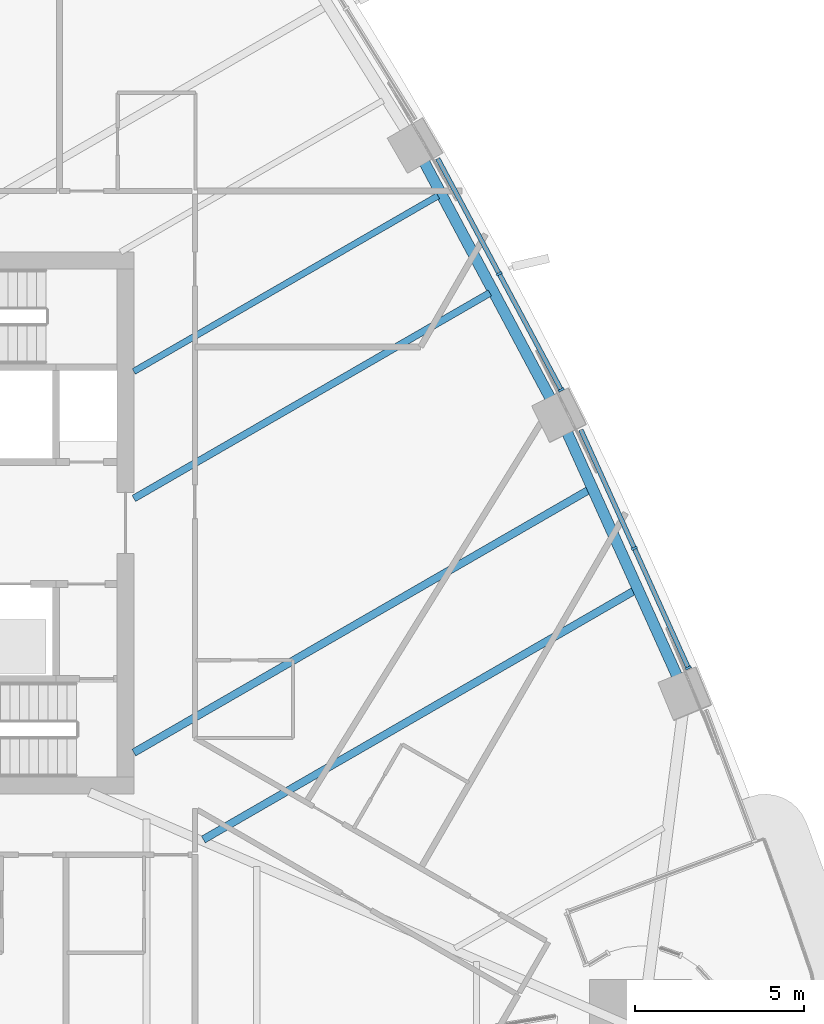
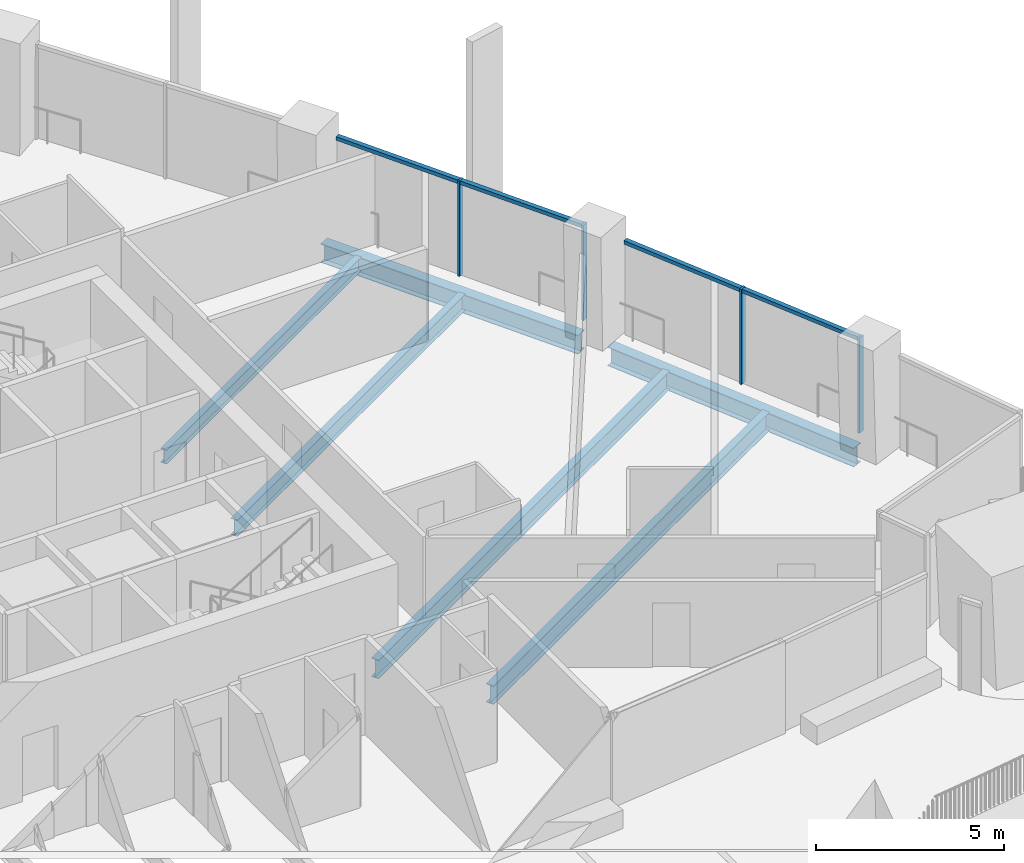
# One storey, part 5 of 25: 8 members, 6 beams, 2 elements without a shape of their own.
"""IFC4 building model written with IfcOpenShell, lengths in metres."""

from ifc_helpers import new_model, si_unit, direction, frame, origin, origin_2d, place, context, subcontext, project, spatial, rectangle, i_section, extrude, material, layer, layer_set, material_profile, profile_set, type_object, element, aggregate, save


model = new_model("IFC4")

# Units and contexts
model_context = context("Model", 3, precision=1e-05, world=origin(), true_north=direction((0.0, 1.0)))
body_context = subcontext(model_context, "Body", "Model", "MODEL_VIEW")
ifc_project = project(units=[si_unit("LENGTHUNIT", "METRE"), si_unit("AREAUNIT", "SQUARE_METRE"), si_unit("VOLUMEUNIT", "CUBIC_METRE"), si_unit("PLANEANGLEUNIT", "RADIAN"), si_unit("MASSUNIT", "GRAM", prefix="KILO")], contexts=[model_context])

# Site, building, storey
site_placement = place(None, origin())
site = spatial("IfcSite", under=ifc_project, at=site_placement, CompositionType="ELEMENT")
building_placement = place(site_placement, origin())
building = spatial("IfcBuilding", under=site, at=building_placement, Name="Sierra Prisma Convention Tower", CompositionType="ELEMENT")
storey_placement = place(building_placement, frame((0.0, 0.0, 88.699951171875)))
storey = spatial("IfcBuildingStorey", under=building, at=storey_placement, Name="L18", CompositionType="ELEMENT", Elevation=88.699951171875)

# Curtain wall, members
ifc_material_1 = material(Name="Aluminium and glass curtain wall", Category="aluminium")
ifc_layer = layer(ifc_material_1, 0.179931640625)
ifc_layer_set = layer_set([ifc_layer], Name="CW-1 Plain shaft curtain wall")
curtain_wall_type = type_object("IfcCurtainWallType", Name="CW-1 Plain shaft curtain wall", PredefinedType="NOTDEFINED", material=ifc_layer_set)
curtain_wall_1_placement = place(storey_placement, origin())
curtain_wall_1 = element("IfcCurtainWall", 1, at=curtain_wall_1_placement, inside=storey, type_object=curtain_wall_type, Name="CW-1 NE2 L18", PredefinedType="NOTDEFINED")
ifc_material_2 = material(Name="Aluminium 6063-T6 bronze anodised", Category="aluminium")
ifc_material_profile_1 = material_profile(ifc_material_2, rectangle(XDim=0.179931640625, YDim=0.070068359375, at=origin_2d()), Name="ALU MULLION 70x180")
ifc_profile_set_1 = profile_set([ifc_material_profile_1], Name="Aluminium 6063-T6 bronze anodised")
member_type_1 = type_object("IfcMemberType", Name="CW mullion bronze", PredefinedType="MULLION", material=ifc_profile_set_1)
member_1_placement = place(storey_placement, frame((27.37451171875, -4.27978515625, 0.0), z_axis=(0.0, 0.0, 1.0), x_axis=(-0.911462904039, -0.411382273027, 0.0)))
member_1 = element("IfcMember", 2, at=member_1_placement, type_object=member_type_1, Name="CW-1 mullion NE2.1", PredefinedType="MULLION", context=body_context, shape_type="SweptSolid", body=[
    extrude(rectangle(XDim=0.179931640625, YDim=0.070068359375, at=origin_2d()), origin(), (0.0, 0.0, 1.0), 3.10009765625),
])
member_2_placement = place(storey_placement, frame((25.781494140625, -0.750244140625, 0.0), z_axis=(0.0, 0.0, 1.0), x_axis=(-0.911462904039, -0.411382273027, 0.0)))
member_2 = element("IfcMember", 3, at=member_2_placement, type_object=member_type_1, Name="CW-1 mullion NE2.2", PredefinedType="MULLION", context=body_context, shape_type="SweptSolid", body=[
    extrude(rectangle(XDim=0.179931640625, YDim=0.070068359375, at=origin_2d()), origin(), (0.0, 0.0, 1.0), 3.10009765625),
])

curtain_wall_2_placement = place(storey_placement, origin())
curtain_wall_2 = element("IfcCurtainWall", 4, at=curtain_wall_2_placement, inside=storey, type_object=curtain_wall_type, Name="CW-1 NE3 L18", PredefinedType="NOTDEFINED")
member_3_placement = place(storey_placement, frame((23.6220703125, 3.9296875, 0.0), z_axis=(0.0, 0.0, 1.0), x_axis=(-0.882149618125, -0.470969267832, 0.0)))
member_3 = element("IfcMember", 5, at=member_3_placement, type_object=member_type_1, Name="CW-1 mullion NE3.1", PredefinedType="MULLION", context=body_context, shape_type="SweptSolid", body=[
    extrude(rectangle(XDim=0.179931640625, YDim=0.070068359375, at=origin_2d()), origin(), (0.0, 0.0, 1.0), 3.10009765625),
])
member_4_placement = place(storey_placement, frame((21.79052734375, 7.360107421875, 0.0), z_axis=(0.0, 0.0, 1.0), x_axis=(-0.882149618125, -0.470969267832, 0.0)))
member_4 = element("IfcMember", 6, at=member_4_placement, type_object=member_type_1, Name="CW-1 mullion NE3.2", PredefinedType="MULLION", context=body_context, shape_type="SweptSolid", body=[
    extrude(rectangle(XDim=0.179931640625, YDim=0.070068359375, at=origin_2d()), origin(), (0.0, 0.0, 1.0), 3.10009765625),
])

# Member
ifc_material_3 = material(Name="Aluminium 6063-T6 bronze anodised", Category="aluminium")
ifc_material_profile_2 = material_profile(ifc_material_3, rectangle(XDim=0.139892578125, YDim=0.1201171875, at=origin_2d()), Name="ALU TRANSOM 120x140")
ifc_profile_set_2 = profile_set([ifc_material_profile_2], Name="Aluminium 6063-T6 bronze anodised")
member_type_2 = type_object("IfcMemberType", Name="CW transom bronze", PredefinedType="USERDEFINED", material=ifc_profile_set_2)
member_5_placement = place(storey_placement, frame((27.360107421875, -4.247802734375, 3.0400390625), z_axis=(-0.411368232413, 0.911469241039, 0.0), x_axis=(-0.911469241039, -0.411368232413, 0.0)))
member_5 = element("IfcMember", 7, at=member_5_placement, type_object=member_type_2, Name="CW-1 transom NE2.1", ObjectType="TRANSOM", PredefinedType="USERDEFINED", context=body_context, shape_type="SweptSolid", body=[
    extrude(rectangle(XDim=0.139892578125, YDim=0.1201171875, at=origin_2d()), origin(), (0.0, 0.0, 1.0), 3.802490234375),
])

member_6_placement = place(storey_placement, frame((25.76708984375, -0.71826171875, 3.0400390625), z_axis=(-0.411421571166, 0.911445166085, 0.0), x_axis=(-0.911445166085, -0.411421571166, 0.0)))
member_6 = element("IfcMember", 8, at=member_6_placement, type_object=member_type_2, Name="CW-1 transom NE2.2", ObjectType="TRANSOM", PredefinedType="USERDEFINED", context=body_context, shape_type="SweptSolid", body=[
    extrude(rectangle(XDim=0.139892578125, YDim=0.1201171875, at=origin_2d()), origin(), (0.0, 0.0, 1.0), 3.802490234375),
])

aggregate(curtain_wall_1, [member_1, member_2, member_5, member_6])

member_7_placement = place(storey_placement, frame((23.60546875, 3.960693359375, 3.0400390625), z_axis=(-0.470939947084, 0.8821652715, 0.0), x_axis=(-0.8821652715, -0.470939947084, 0.0)))
member_7 = element("IfcMember", 9, at=member_7_placement, type_object=member_type_2, Name="CW-1 transom NE3.1", ObjectType="TRANSOM", PredefinedType="USERDEFINED", context=body_context, shape_type="SweptSolid", body=[
    extrude(rectangle(XDim=0.139892578125, YDim=0.1201171875, at=origin_2d()), origin(), (0.0, 0.0, 1.0), 3.818603515625),
])

member_8_placement = place(storey_placement, frame((21.774169921875, 7.39111328125, 3.0400390625), z_axis=(-0.470989699493, 0.882138709598, 0.0), x_axis=(-0.882138709598, -0.470989699493, 0.0)))
member_8 = element("IfcMember", 10, at=member_8_placement, type_object=member_type_2, Name="CW-1 transom NE3.2", ObjectType="TRANSOM", PredefinedType="USERDEFINED", context=body_context, shape_type="SweptSolid", body=[
    extrude(rectangle(XDim=0.139892578125, YDim=0.1201171875, at=origin_2d()), origin(), (0.0, 0.0, 1.0), 3.81884765625),
])

aggregate(curtain_wall_2, [member_3, member_4, member_7, member_8])

# Beams
ifc_material_4 = material(Name="Steel ASTM A992 Gr 50", Category="steel")
ifc_material_profile_3 = material_profile(ifc_material_4, i_section(OverallWidth=0.18994140625, OverallDepth=0.45703125, WebThickness=0.009033203125, FlangeThickness=0.014404296875, at=origin_2d()), Name="W460x74")
ifc_profile_set_3 = profile_set([ifc_material_profile_3], Name="Steel ASTM A992 Gr 50")
beam_type_1 = type_object("IfcBeamType", Name="Floor joist W460x74", PredefinedType="JOIST", material=ifc_profile_set_3)
beam_1_placement = place(storey_placement, frame((19.981689453125, 9.66015625, -0.37841796875), z_axis=(-0.866026821189, -0.499997544974, 0.0), x_axis=(0.499997544974, -0.866026821189, 0.0)))
element("IfcBeam", 11, at=beam_1_placement, inside=storey, type_object=beam_type_1, Name="Floor joist L18 NE08", PredefinedType="JOIST", context=body_context, shape_type="SweptSolid", body=[
    extrude(i_section(OverallWidth=0.18994140625, OverallDepth=0.45703125, WebThickness=0.009033203125, FlangeThickness=0.014404296875, at=origin_2d()), origin(), (0.0, 0.0, 1.0), 10.37109375),
])
ifc_material_5 = material(Name="Steel ASTM A992 Gr 50", Category="steel")
ifc_material_profile_4 = material_profile(ifc_material_5, i_section(OverallWidth=0.208984375, OverallDepth=0.532958984375, WebThickness=0.01025390625, FlangeThickness=0.015625, at=origin_2d()), Name="W530x92")
ifc_profile_set_4 = profile_set([ifc_material_profile_4], Name="Steel ASTM A992 Gr 50")
beam_type_2 = type_object("IfcBeamType", Name="Floor joist W530x92", PredefinedType="JOIST", material=ifc_profile_set_4)
beam_2_placement = place(storey_placement, frame((21.51318359375, 6.7919921875, -0.41650390625), z_axis=(-0.866024161028, -0.500002152512, 0.0), x_axis=(0.500002152512, -0.866024161028, 0.0)))
element("IfcBeam", 12, at=beam_2_placement, inside=storey, type_object=beam_type_2, Name="Floor joist L18 NE07", PredefinedType="JOIST", context=body_context, shape_type="SweptSolid", body=[
    extrude(i_section(OverallWidth=0.208984375, OverallDepth=0.532958984375, WebThickness=0.01025390625, FlangeThickness=0.015625, at=origin_2d()), origin(), (0.0, 0.0, 1.0), 12.1396484375),
])
ifc_material_6 = material(Name="Steel ASTM A992 Gr 50", Category="steel")
ifc_material_profile_5 = material_profile(ifc_material_6, i_section(OverallWidth=0.22802734375, OverallDepth=0.60302734375, WebThickness=0.010498046875, FlangeThickness=0.014892578125, at=origin_2d()), Name="W610x101")
ifc_profile_set_5 = profile_set([ifc_material_profile_5], Name="Steel ASTM A992 Gr 50")
beam_type_3 = type_object("IfcBeamType", Name="Floor joist W610x101", PredefinedType="JOIST", material=ifc_profile_set_5)
beam_3_placement = place(storey_placement, frame((25.783203125, -2.0, -0.451416015625), z_axis=(-0.866016594453, -0.500015257899, 0.0), x_axis=(0.500015257899, -0.866016594453, 0.0)))
element("IfcBeam", 13, at=beam_3_placement, inside=storey, type_object=beam_type_3, Name="Floor joist L18 NE04", PredefinedType="JOIST", context=body_context, shape_type="SweptSolid", body=[
    extrude(i_section(OverallWidth=0.22802734375, OverallDepth=0.60302734375, WebThickness=0.010498046875, FlangeThickness=0.014892578125, at=origin_2d()), origin(), (0.0, 0.0, 1.0), 14.69970703125),
])
beam_4_placement = place(storey_placement, frame((24.439697265625, 0.9765625, -0.451416015625), z_axis=(-0.866029184285, -0.499993451924, 0.0), x_axis=(0.499993451924, -0.866029184285, 0.0)))
element("IfcBeam", 14, at=beam_4_placement, inside=storey, type_object=beam_type_3, Name="Floor joist L18 NE05", PredefinedType="JOIST", context=body_context, shape_type="SweptSolid", body=[
    extrude(i_section(OverallWidth=0.22802734375, OverallDepth=0.60302734375, WebThickness=0.010498046875, FlangeThickness=0.014892578125, at=origin_2d()), origin(), (0.0, 0.0, 1.0), 15.518798828125),
])
ifc_material_7 = material(Name="Steel ASTM A992 Gr 50", Category="steel")
ifc_material_profile_6 = material_profile(ifc_material_7, i_section(OverallWidth=0.324951171875, OverallDepth=0.615966796875, WebThickness=0.013916015625, FlangeThickness=0.021484375, at=origin_2d()), Name="W610x174")
ifc_profile_set_6 = profile_set([ifc_material_profile_6], Name="Steel ASTM A992 Gr 50")
beam_type_4 = type_object("IfcBeamType", Name="Spandrel beam W610x174", PredefinedType="BEAM", material=ifc_profile_set_6)
for number, where, z_axis, x_axis, name in (
    (15, (27.0869140625, -4.6142578125, -0.4580078125), (-0.411406833039, 0.911451818654, 0.0), (-0.911451818654, -0.411406833039, 0.0), "Spandrel L18-08"),
    (16, (23.341796875, 3.60546875, -0.4580078125), (-0.470957061601, 0.882156134779, 0.0), (-0.882156134779, -0.470957061601, 0.0), "Spandrel L18-09"),
):
    element("IfcBeam", number, at=place(storey_placement, frame(where, z_axis=z_axis, x_axis=x_axis)), inside=storey, type_object=beam_type_4, Name=name, PredefinedType="BEAM", context=body_context, shape_type="SweptSolid", body=[
        extrude(i_section(OverallWidth=0.324951171875, OverallDepth=0.615966796875, WebThickness=0.013916015625, FlangeThickness=0.021484375, at=origin_2d()), origin(), (0.0, 0.0, 1.0), 8.072998046875),
    ])

save(model, "model.ifc")
